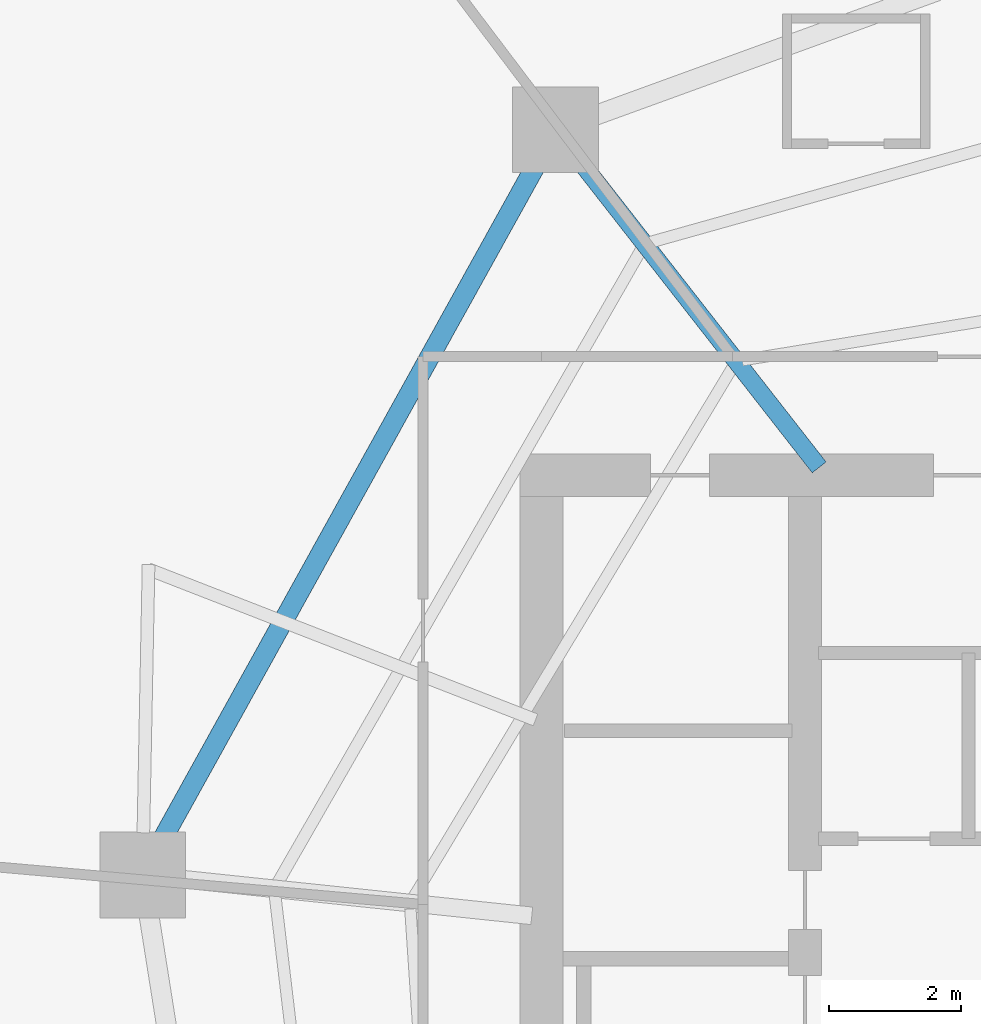
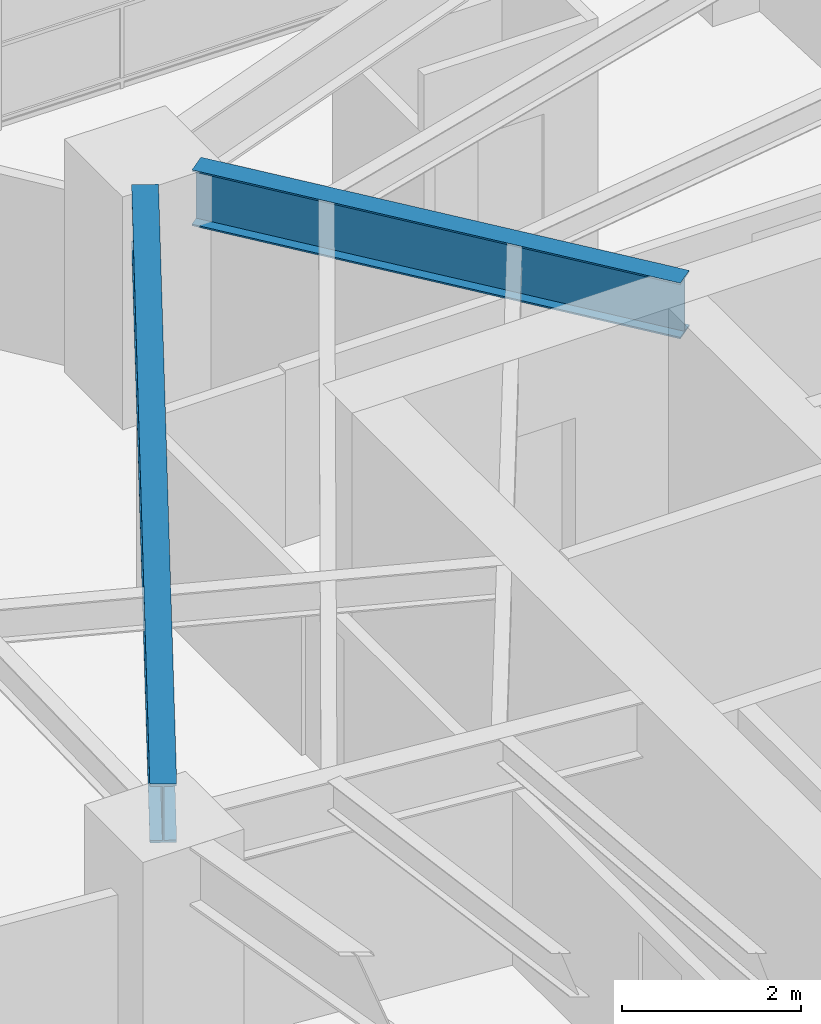
# One storey, part 16 of 31: 2 beams.
"""IFC4 building model written with IfcOpenShell, lengths in metres."""

import ifcopenshell
import ifcopenshell.guid

model = None  # the IFC model being written
_history = None  # IfcOwnerHistory: only IFC2X3 demands one
_inside = {}  # id of a spatial element -> (the spatial element, [elements in it])
_under = {}  # id of a project, library or spatial element -> (it, [spatial elements below it])
_declared = {}  # id of a project -> (the project, [libraries it declares])
_typed = {}  # id of a type object -> (the type object, [elements of that type])
_made_of = {}  # id of a material, layer set ... -> (it, [elements and type objects made of it])


def new_model(schema):
    """Start an empty IFC model of exactly this schema.

    Asked for "IFC4X3", IfcOpenShell would pick the latest addendum, in which some entities
    have other attributes; the version numbers below select the first issue.
    IFC2X3 requires an IfcOwnerHistory on every rooted entity: one is made here for all.
    """
    global model, _history
    if schema == "IFC4X3":
        model = ifcopenshell.file(schema_version=(4, 3, 0, 0))
    else:
        model = ifcopenshell.file(schema=schema)
    _inside.clear()
    _under.clear()
    _declared.clear()
    _typed.clear()
    _made_of.clear()
    _history = None
    if model.schema == "IFC2X3":
        org = make("IfcOrganization", Name="unknown")
        user = make(
            "IfcPersonAndOrganization",
            ThePerson=make("IfcPerson", FamilyName="unknown"),
            TheOrganization=org,
        )
        app = make(
            "IfcApplication",
            ApplicationDeveloper=org,
            Version="unknown",
            ApplicationFullName="unknown",
            ApplicationIdentifier="unknown",
        )
        _history = make(
            "IfcOwnerHistory",
            OwningUser=user,
            OwningApplication=app,
            ChangeAction="ADDED",
            CreationDate=0,
        )
    return model


def make(cls, **values):
    """One entity of the class cls with the attributes given. An attribute that is None is left unset."""
    return model.create_entity(
        cls, **{name: value for name, value in values.items() if value is not None}
    )


def rooted(cls, **values):
    """An entity with a GlobalId (a new one), such as an element, a storey or a relation."""
    return make(cls, GlobalId=ifcopenshell.guid.new(), OwnerHistory=_history, **values)


def si_unit(unit_type, name, prefix=None):
    """IfcSIUnit, for example si_unit("LENGTHUNIT", "METRE", prefix="MILLI")."""
    return make("IfcSIUnit", UnitType=unit_type, Prefix=prefix, Name=name)


def assignment(units):
    """IfcUnitAssignment: the units of a project."""
    return None if units is None else make("IfcUnitAssignment", Units=units)


def point(xyz):
    """IfcCartesianPoint."""
    return None if xyz is None else make("IfcCartesianPoint", Coordinates=xyz)


def direction(xyz):
    """IfcDirection."""
    return None if xyz is None else make("IfcDirection", DirectionRatios=xyz)


def frame(location, z_axis=None, x_axis=None):
    """IfcAxis2Placement3D, a coordinate frame: its origin and axes. An axis left out is left unset."""
    return make(
        "IfcAxis2Placement3D",
        Location=point(location),
        Axis=direction(z_axis),
        RefDirection=direction(x_axis),
    )


def frame_2d(location, x_axis=None):
    """IfcAxis2Placement2D, a coordinate frame in the plane: its origin and x axis."""
    return make(
        "IfcAxis2Placement2D", Location=point(location), RefDirection=direction(x_axis)
    )


def origin():
    """The frame at (0, 0, 0) with its axes left unset."""
    return frame((0.0, 0.0, 0.0))


def origin_2d():
    """The frame at (0, 0) in the plane with its x axis left unset."""
    return frame_2d((0.0, 0.0))


def place(relative_to, where):
    """IfcLocalPlacement: puts the frame where relative to a parent placement (None: the world)."""
    return make(
        "IfcLocalPlacement", PlacementRelTo=relative_to, RelativePlacement=where
    )


def context(
    kind, dimensions, precision=None, world=None, true_north=None, identifier=None
):
    """IfcGeometricRepresentationContext, for example the 3D "Model" context."""
    return make(
        "IfcGeometricRepresentationContext",
        ContextIdentifier=identifier,
        ContextType=kind,
        CoordinateSpaceDimension=dimensions,
        Precision=precision,
        WorldCoordinateSystem=world,
        TrueNorth=true_north,
    )


def subcontext(parent, identifier, kind, view, scale=None):
    """IfcGeometricRepresentationSubContext, for example "Body" below "Model"."""
    return make(
        "IfcGeometricRepresentationSubContext",
        ContextIdentifier=identifier,
        ContextType=kind,
        ParentContext=parent,
        TargetScale=scale,
        TargetView=view,
    )


def project(units=None, contexts=None):
    """IfcProject with its units and contexts."""
    return rooted(
        "IfcProject",
        Name="project",
        RepresentationContexts=contexts,
        UnitsInContext=assignment(units),
    )


def spatial(cls, under=None, at=None, **own):
    """A site, building, storey or space (cls), placed at a placement, below another one or the project."""
    s = rooted(cls, ObjectPlacement=at, **own)
    if under is not None:
        _under.setdefault(under.id(), (under, []))[1].append(s)
    return s


def profile(cls, at=None, kind="AREA", **sizes):
    """A parametric profile (cls). Its sizes go by their IFC names, for example OverallWidth=200.0."""
    return make(cls, ProfileType=kind, Position=at, **sizes)


def i_section(**sizes):
    """IfcIShapeProfileDef."""
    return profile("IfcIShapeProfileDef", **sizes)


def extrude(swept, where, along, depth):
    """IfcExtrudedAreaSolid: the profile swept, set in the frame where, extruded along a direction by depth."""
    return make(
        "IfcExtrudedAreaSolid",
        SweptArea=swept,
        Position=where,
        ExtrudedDirection=direction(along),
        Depth=depth,
    )


def shape(context_of_items, identifier, shape_type, items):
    """IfcShapeRepresentation: the items that make up one representation, for example the "Body"."""
    return make(
        "IfcShapeRepresentation",
        ContextOfItems=context_of_items,
        RepresentationIdentifier=identifier,
        RepresentationType=shape_type,
        Items=items,
    )


def material(Name=None, Category=None):
    """IfcMaterial."""
    return make("IfcMaterial", Name=Name, Category=Category)


def material_profile(
    of_material, cross_section, Name=None, Category=None, Priority=None
):
    """IfcMaterialProfile: a cross section and its material."""
    return make(
        "IfcMaterialProfile",
        Name=Name,
        Material=of_material,
        Profile=cross_section,
        Priority=Priority,
        Category=Category,
    )


def profile_set(profiles, Name=None, composite=None):
    """IfcMaterialProfileSet."""
    return make(
        "IfcMaterialProfileSet",
        Name=Name,
        MaterialProfiles=profiles,
        CompositeProfile=composite,
    )


def made_of(thing, what):
    """Note that an element or type object is made of a material, layer set ...; save() writes the relation."""
    if what is not None:
        _made_of.setdefault(what.id(), (what, []))[1].append(thing)
    return thing


def type_object(cls, material=None, **own):
    """A type object (cls), such as IfcWallType, which elements share."""
    return made_of(rooted(cls, **own), material)


def element(
    cls,
    number,
    at=None,
    inside=None,
    cuts=None,
    type_object=None,
    material=None,
    context=None,
    identifier="Body",
    shape_type=None,
    held_by="IfcProductDefinitionShape",
    body=None,
    shapes=None,
    **own,
):
    """One element of the class cls, such as IfcWall. Its Tag is "e" and its number.

    at: its placement. inside: the storey or other place that contains it. cuts: it is an
    opening in that element (IfcRelVoidsElement). A single representation is given by context,
    identifier, shape_type and body (its items); several are given by shapes. held_by: the class
    of the entity that holds the representations. save() writes the other relations.
    """
    e = rooted(cls, Tag="e%d" % number, ObjectPlacement=at, **own)
    if body is not None:
        shapes = [shape(context, identifier, shape_type, body)]
    if shapes is not None:
        e.Representation = make(held_by, Representations=shapes)
    if inside is not None:
        _inside.setdefault(inside.id(), (inside, []))[1].append(e)
    if cuts is not None:
        rooted(
            "IfcRelVoidsElement", RelatingBuildingElement=cuts, RelatedOpeningElement=e
        )
    if type_object is not None:
        _typed.setdefault(type_object.id(), (type_object, []))[1].append(e)
    return made_of(e, material)


def aggregate(whole, parts):
    """IfcRelAggregates: a whole, such as a stair, and the parts it consists of."""
    return rooted("IfcRelAggregates", RelatingObject=whole, RelatedObjects=parts)


def save(model, path):
    """Write the relations noted so far, then the file.

    IfcRelAggregates (storeys below a building ...), IfcRelContainedInSpatialStructure (elements
    in a storey), IfcRelDefinesByType, IfcRelAssociatesMaterial and IfcRelDeclares: one each for
    every whole, place, type object, material and project.
    """
    for whole, parts in _under.values():
        aggregate(whole, parts)
    for where, things in _inside.values():
        rooted(
            "IfcRelContainedInSpatialStructure",
            RelatedElements=things,
            RelatingStructure=where,
        )
    for kind, things in _typed.values():
        rooted("IfcRelDefinesByType", RelatedObjects=things, RelatingType=kind)
    for what, things in _made_of.values():
        rooted("IfcRelAssociatesMaterial", RelatedObjects=things, RelatingMaterial=what)
    for by, libraries in _declared.values():
        rooted("IfcRelDeclares", RelatingContext=by, RelatedDefinitions=libraries)
    model.write(path)


model = new_model("IFC4")

# Units and contexts
model_context = context("Model", 3, precision=1e-05, world=origin(), true_north=direction((0.0, 1.0)))
body_context = subcontext(model_context, "Body", "Model", "MODEL_VIEW")
ifc_project = project(units=[si_unit("LENGTHUNIT", "METRE"), si_unit("AREAUNIT", "SQUARE_METRE"), si_unit("VOLUMEUNIT", "CUBIC_METRE"), si_unit("PLANEANGLEUNIT", "RADIAN"), si_unit("MASSUNIT", "GRAM", prefix="KILO")], contexts=[model_context])

# Site, building, storey
site_placement = place(None, origin())
site = spatial("IfcSite", under=ifc_project, at=site_placement, CompositionType="ELEMENT")
building_placement = place(site_placement, origin())
building = spatial("IfcBuilding", under=site, at=building_placement, Name="Qarnah Convention Tower", CompositionType="ELEMENT")
storey_placement = place(building_placement, frame((0.0, 0.0, 64.949951171875)))
storey = spatial("IfcBuildingStorey", under=building, at=storey_placement, Name="L16", CompositionType="ELEMENT", Elevation=64.949951171875)

# Beams
ifc_material = material(Name="Structural steel S355JR", Category="steel")
ifc_material_profile_1 = material_profile(ifc_material, i_section(OverallWidth=0.26806640625, OverallDepth=0.760009765625, WebThickness=0.014892578125, FlangeThickness=0.02197265625, at=origin_2d()), Name="W760X185")
ifc_profile_set_1 = profile_set([ifc_material_profile_1], Name="Structural steel S355JR")
beam_type_1 = type_object("IfcBeamType", Name="BM-RAD-W760", PredefinedType="BEAM", material=ifc_profile_set_1)
beam_1_placement = place(storey_placement, frame((31.013916015625, 34.318115234375, 2.7900390625), z_axis=(-0.61558272574, 0.78807227319, 0.0), x_axis=(-0.78807227319, -0.61558272574, 0.0)))
element("IfcBeam", 1, at=beam_1_placement, inside=storey, type_object=beam_type_1, Name="L16 beam BM-L16-RAD-04", PredefinedType="BEAM", context=body_context, shape_type="SweptSolid", body=[
    extrude(i_section(OverallWidth=0.26806640625, OverallDepth=0.760009765625, WebThickness=0.014892578125, FlangeThickness=0.02197265625, at=origin_2d()), origin(), (0.0, 0.0, 1.0), 5.87255859375),
])
ifc_material_profile_2 = material_profile(ifc_material, i_section(OverallWidth=0.300048828125, OverallDepth=0.800048828125, WebThickness=0.01806640625, FlangeThickness=0.032958984375, at=origin_2d()), Name="HEB800")
ifc_profile_set_2 = profile_set([ifc_material_profile_2], Name="Structural steel S355JR")
beam_type_2 = type_object("IfcBeamType", Name="BM-RING-HEB800", PredefinedType="BEAM", material=ifc_profile_set_2)
beam_2_placement = place(storey_placement, frame((26.700927734375, 38.882080078125, 2.77001953125), z_axis=(-0.484829813426, -0.874608513572, 0.0), x_axis=(0.874608513572, -0.484829813426, 0.0)))
element("IfcBeam", 2, at=beam_2_placement, inside=storey, type_object=beam_type_2, Name="L16 beam BM-L16-SPN-04", PredefinedType="BEAM", context=body_context, shape_type="SweptSolid", body=[
    extrude(i_section(OverallWidth=0.300048828125, OverallDepth=0.800048828125, WebThickness=0.01806640625, FlangeThickness=0.032958984375, at=origin_2d()), origin(), (0.0, 0.0, 1.0), 11.6533203125),
])

save(model, "model.ifc")
